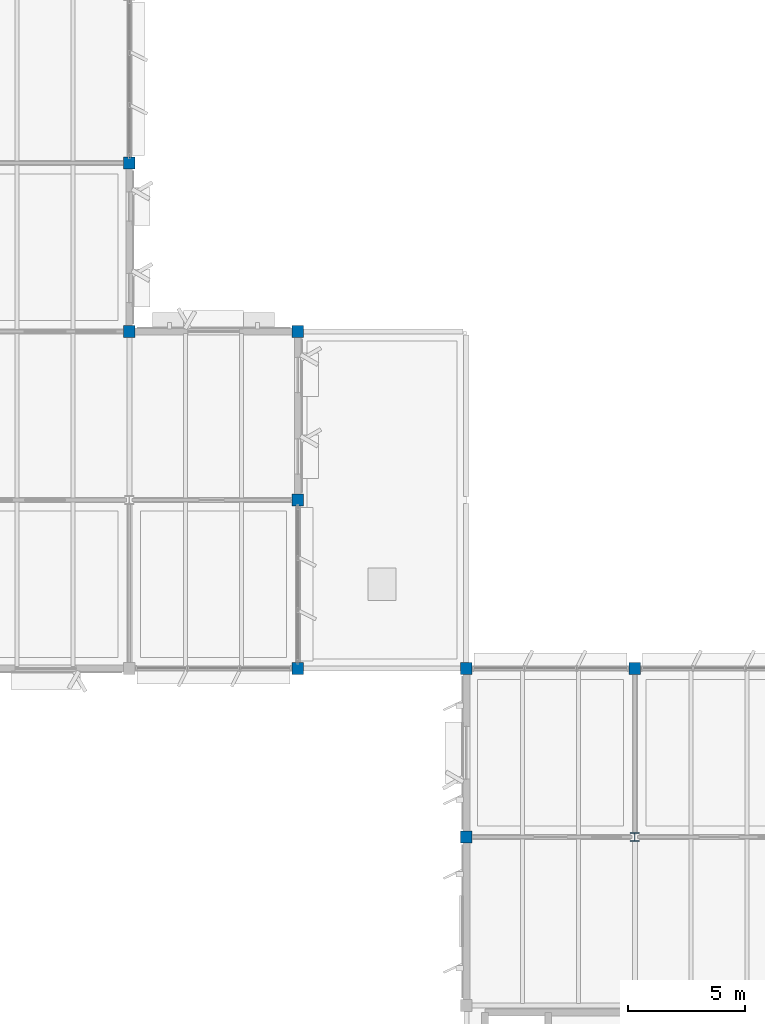
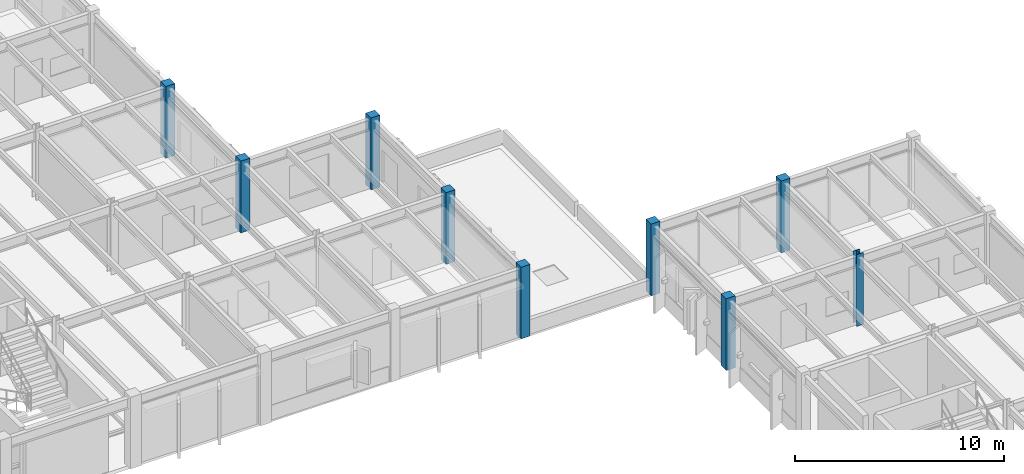
# One storey, part 12 of 85: 9 columns.
"""IFC4 building model written with IfcOpenShell, lengths in metres."""

from ifc_helpers import new_model, si_unit, direction, frame, origin, origin_2d, place, context, subcontext, project, spatial, rectangle, i_section, extrude, material, material_profile, profile_set, type_object, element, save


model = new_model("IFC4")

# Units and contexts
model_context = context("Model", 3, precision=1e-05, world=origin(), true_north=direction((0.0, 1.0)))
body_context = subcontext(model_context, "Body", "Model", "MODEL_VIEW")
ifc_project = project(units=[si_unit("LENGTHUNIT", "METRE"), si_unit("AREAUNIT", "SQUARE_METRE"), si_unit("VOLUMEUNIT", "CUBIC_METRE"), si_unit("PLANEANGLEUNIT", "RADIAN"), si_unit("MASSUNIT", "GRAM", prefix="KILO")], contexts=[model_context])

# Site, building, storey
site_placement = place(None, origin())
site = spatial("IfcSite", under=ifc_project, at=site_placement, CompositionType="ELEMENT")
building_placement = place(site_placement, origin())
building = spatial("IfcBuilding", under=site, at=building_placement, Name="Sillqori Civic Hall", CompositionType="ELEMENT")
storey_placement = place(building_placement, frame((0.0, 0.0, 9.89990234375)))
storey = spatial("IfcBuildingStorey", under=building, at=storey_placement, Name="L03", CompositionType="ELEMENT", Elevation=9.89990234375)

# Columns
ifc_material_1 = material(Name="Concrete C35/45 (H35)", Category="concrete")
ifc_material_profile_1 = material_profile(ifc_material_1, rectangle(XDim=0.5, YDim=0.5, at=origin_2d()), Name="RC 500x500")
ifc_profile_set_1 = profile_set([ifc_material_profile_1], Name="Concrete C35/45 (H35)")
column_type_1 = type_object("IfcColumnType", Name="COL-RC500", PredefinedType="COLUMN", material=ifc_profile_set_1)
for number, where, z_axis, x_axis, name in (
    (1, (108.0, 93.60009765625, 0.0), (0.0, 0.0, 1.0), (1.0, 0.0, 0.0), "L03 column 15-13"),
    (2, (108.0, 100.800048828125, 0.0), (0.0, 0.0, 1.0), (1.0, 0.0, 0.0), "L03 column 15-14"),
    (3, (115.199951171875, 79.199951171875, 0.0), (0.0, 0.0, 1.0), (1.0, 0.0, 0.0), "L03 column 16-11"),
    (4, (115.199951171875, 86.39990234375, 0.0), (0.0, 0.0, 1.0), (1.0, 0.0, 0.0), "L03 column 16-12"),
    (5, (115.199951171875, 93.60009765625, 0.0), (0.0, 0.0, 1.0), (1.0, 0.0, 0.0), "L03 column 16-13"),
    (6, (122.39990234375, 72.0, 0.0), (0.0, 0.0, 1.0), (1.0, 0.0, 0.0), "L03 column 17-10"),
    (7, (122.39990234375, 79.199951171875, 0.0), (0.0, 0.0, 1.0), (1.0, 0.0, 0.0), "L03 column 17-11"),
    (8, (129.60009765625, 79.199951171875, 0.0), (0.0, 0.0, 1.0), (1.0, 0.0, 0.0), "L03 column 18-11"),
):
    element("IfcColumn", number, at=place(storey_placement, frame(where, z_axis=z_axis, x_axis=x_axis)), inside=storey, type_object=column_type_1, Name=name, PredefinedType="COLUMN", context=body_context, shape_type="SweptSolid", body=[
        extrude(rectangle(XDim=0.5, YDim=0.5, at=origin_2d()), origin(), (0.0, 0.0, 1.0), 4.2001953125),
    ])
ifc_material_2 = material(Name="Steel ASTM A992", Category="steel")
ifc_material_profile_2 = material_profile(ifc_material_2, i_section(OverallWidth=0.37109375, OverallDepth=0.361083984375, WebThickness=0.012451171875, FlangeThickness=0.019775390625, FilletRadius=0.014892578125, at=origin_2d()), Name="W14X99")
ifc_profile_set_2 = profile_set([ifc_material_profile_2], Name="Steel ASTM A992")
column_type_2 = type_object("IfcColumnType", Name="COL-W14X99", PredefinedType="COLUMN", material=ifc_profile_set_2)
column_placement = place(storey_placement, frame((129.60009765625, 72.0, 0.0), z_axis=(0.0, 0.0, 1.0), x_axis=(1.0, 0.0, 0.0)))
element("IfcColumn", 9, at=column_placement, inside=storey, type_object=column_type_2, Name="L03 column 18-10", PredefinedType="COLUMN", context=body_context, shape_type="SweptSolid", body=[
    extrude(i_section(OverallWidth=0.37109375, OverallDepth=0.361083984375, WebThickness=0.012451171875, FlangeThickness=0.019775390625, FilletRadius=0.014892578125, at=origin_2d()), origin(), (0.0, 0.0, 1.0), 4.2001953125),
])

save(model, "model.ifc")
